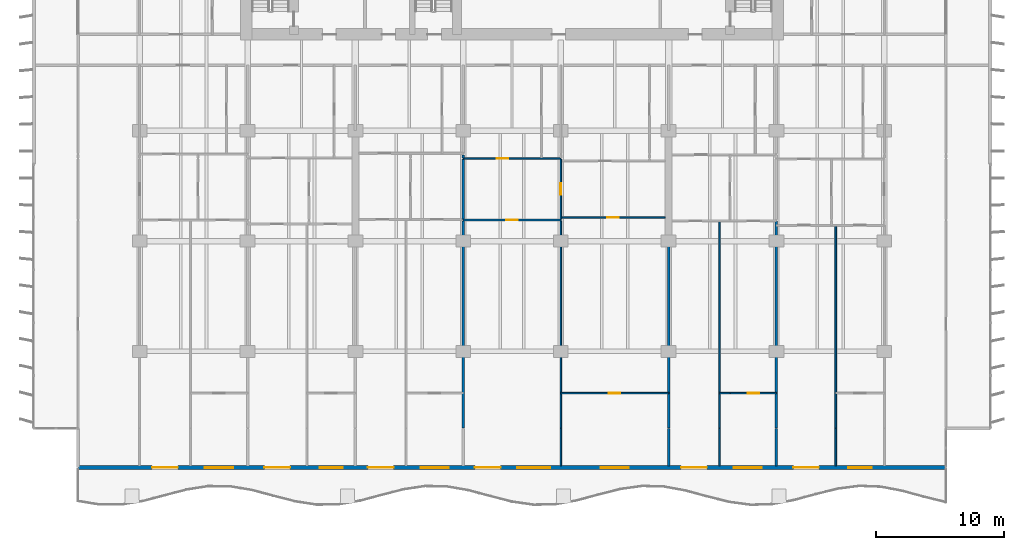
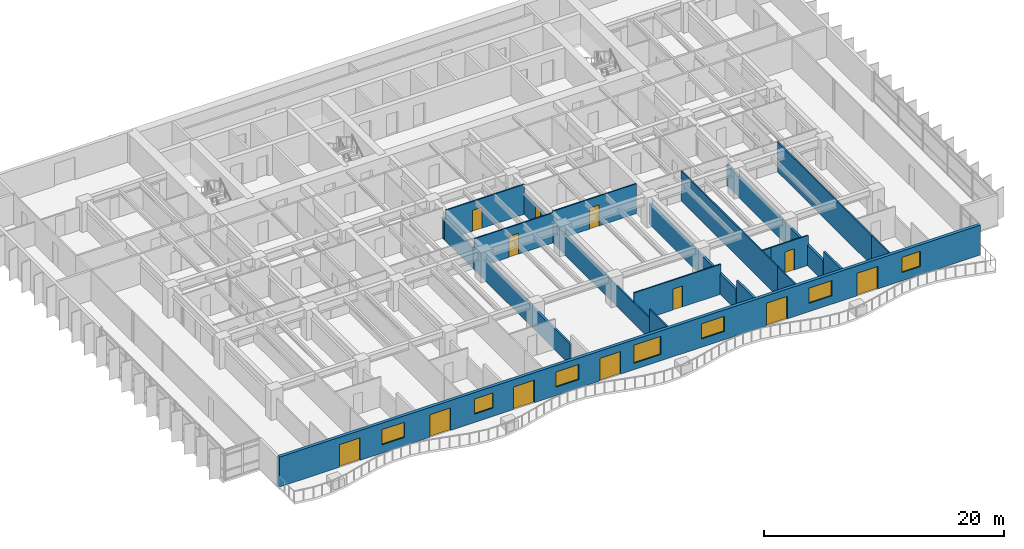
# One storey, part 8 of 17: 21 walls, 12 doors, 7 windows, 19 openings.
"""IFC4 building model written with IfcOpenShell, lengths in metres."""

from ifc_helpers import new_model, si_unit, direction, frame, frame_2d, origin, place, context, subcontext, project, spatial, rectangle, extrude, material, layer, layer_set, type_object, element, fill, save


model = new_model("IFC4")

# Units and contexts
model_context = context("Model", 3, precision=1e-05, world=origin(), true_north=direction((0.0, 1.0)))
body_context = subcontext(model_context, "Body", "Model", "MODEL_VIEW")
ifc_project = project(units=[si_unit("LENGTHUNIT", "METRE"), si_unit("AREAUNIT", "SQUARE_METRE"), si_unit("VOLUMEUNIT", "CUBIC_METRE"), si_unit("PLANEANGLEUNIT", "RADIAN"), si_unit("MASSUNIT", "GRAM", prefix="KILO")], contexts=[model_context])

# Site, building, storey
site_placement = place(None, origin())
site = spatial("IfcSite", under=ifc_project, at=site_placement, CompositionType="ELEMENT")
building_placement = place(site_placement, origin())
building = spatial("IfcBuilding", under=site, at=building_placement, Name="Caelmar Bay Residences", CompositionType="ELEMENT")
storey_placement = place(building_placement, frame((0.0, 0.0, 33.300048828125)))
storey = spatial("IfcBuildingStorey", under=building, at=storey_placement, Name="L07", CompositionType="ELEMENT", Elevation=33.300048828125)

# Wall, openings, doors, windows
ifc_material_1 = material(Name="Precast concrete f'c 40 MPa (6,000 psi)", Category="concrete")
ifc_layer_1 = layer(ifc_material_1, 0.300048828125)
ifc_layer_set_1 = layer_set([ifc_layer_1], Name="Precast concrete f'c 40 MPa (6,000 psi)")
wall_type_1 = type_object("IfcWallType", Name="W-EXT-300", PredefinedType="STANDARD", material=ifc_layer_set_1)
wall_1_placement = place(storey_placement, frame((72.699951171875, 3.14990234375, 0.0), z_axis=(0.0, 0.0, 1.0), x_axis=(-1.0, 0.0, 0.0)))
wall_1 = element("IfcWall", 1, at=wall_1_placement, inside=storey, type_object=wall_type_1, Name="L07 South Bayfront Exterior Wall", PredefinedType="STANDARD", context=body_context, shape_type="SweptSolid", body=[
    extrude(rectangle(XDim=67.599853515625, YDim=0.300048828125, at=frame_2d((33.7998046875, 0.0))), origin(), (0.0, 0.0, 1.0), 3.050048828125),
])
opening_1_placement = place(wall_1_placement, frame((59.825927734375, 0.0, 0.0)))
opening_1 = element("IfcOpeningElement", 2, at=opening_1_placement, cuts=wall_1, Name="Opening L07-BD01", PredefinedType="OPENING", context=body_context, shape_type="SweptSolid", body=[
    extrude(rectangle(XDim=2.0, YDim=2.300048828125, at=frame_2d((1.0, 1.14990234375))), frame((0.0, 0.159912109375, 0.0), z_axis=(0.0, -1.0, 0.0), x_axis=(1.0, 0.0, 0.0)), (0.0, 0.0, 1.0), 0.320068359375),
])
opening_2_placement = place(wall_1_placement, frame((55.52587890625, 0.0, 0.85009765625)))
opening_2 = element("IfcOpeningElement", 3, at=opening_2_placement, cuts=wall_1, Name="Opening WN2", PredefinedType="OPENING", context=body_context, shape_type="SweptSolid", body=[
    extrude(rectangle(XDim=2.199951171875, YDim=1.550048828125, at=frame_2d((1.10009765625, 0.77490234375))), frame((0.0, 0.159912109375, 0.0), z_axis=(0.0, -1.0, 0.0), x_axis=(1.0, 0.0, 0.0)), (0.0, 0.0, 1.0), 0.320068359375),
])
opening_3_placement = place(wall_1_placement, frame((51.090087890625, 0.0, 0.0)))
opening_3 = element("IfcOpeningElement", 4, at=opening_3_placement, cuts=wall_1, Name="Opening L07-BD02", PredefinedType="OPENING", context=body_context, shape_type="SweptSolid", body=[
    extrude(rectangle(XDim=2.0, YDim=2.300048828125, at=frame_2d((1.0, 1.14990234375))), frame((0.0, 0.159912109375, 0.0), z_axis=(0.0, -1.0, 0.0), x_axis=(1.0, 0.0, 0.0)), (0.0, 0.0, 1.0), 0.320068359375),
])
opening_4_placement = place(wall_1_placement, frame((46.989990234375, 0.0, 0.85009765625)))
opening_4 = element("IfcOpeningElement", 5, at=opening_4_placement, cuts=wall_1, Name="Opening WN1", PredefinedType="OPENING", context=body_context, shape_type="SweptSolid", body=[
    extrude(rectangle(XDim=1.800048828125, YDim=1.550048828125, at=frame_2d((0.89990234375, 0.77490234375))), frame((0.0, 0.159912109375, 0.0), z_axis=(0.0, -1.0, 0.0), x_axis=(1.0, 0.0, 0.0)), (0.0, 0.0, 1.0), 0.320068359375),
])
opening_5_placement = place(wall_1_placement, frame((43.02587890625, 0.0, 0.0)))
opening_5 = element("IfcOpeningElement", 6, at=opening_5_placement, cuts=wall_1, Name="Opening L07-BD03", PredefinedType="OPENING", context=body_context, shape_type="SweptSolid", body=[
    extrude(rectangle(XDim=2.0, YDim=2.300048828125, at=frame_2d((1.0, 1.14990234375))), frame((0.0, 0.159912109375, 0.0), z_axis=(0.0, -1.0, 0.0), x_axis=(1.0, 0.0, 0.0)), (0.0, 0.0, 1.0), 0.320068359375),
])
opening_6_placement = place(wall_1_placement, frame((38.72607421875, 0.0, 0.85009765625)))
opening_6 = element("IfcOpeningElement", 7, at=opening_6_placement, cuts=wall_1, Name="Opening WN2", PredefinedType="OPENING", context=body_context, shape_type="SweptSolid", body=[
    extrude(rectangle(XDim=2.199951171875, YDim=1.550048828125, at=frame_2d((1.10009765625, 0.77490234375))), frame((0.0, 0.159912109375, 0.0), z_axis=(0.0, -1.0, 0.0), x_axis=(1.0, 0.0, 0.0)), (0.0, 0.0, 1.0), 0.320068359375),
])
opening_7_placement = place(wall_1_placement, frame((34.68994140625, 0.0, 0.0)))
opening_7 = element("IfcOpeningElement", 8, at=opening_7_placement, cuts=wall_1, Name="Opening L07-BD04", PredefinedType="OPENING", context=body_context, shape_type="SweptSolid", body=[
    extrude(rectangle(XDim=2.0, YDim=2.300048828125, at=frame_2d((1.0, 1.14990234375))), frame((0.0, 0.159912109375, 0.0), z_axis=(0.0, -1.0, 0.0), x_axis=(1.0, 0.0, 0.0)), (0.0, 0.0, 1.0), 0.320068359375),
])
opening_8_placement = place(wall_1_placement, frame((30.81005859375, 0.0, 0.64990234375)))
opening_8 = element("IfcOpeningElement", 9, at=opening_8_placement, cuts=wall_1, Name="Opening WN3", PredefinedType="OPENING", context=body_context, shape_type="SweptSolid", body=[
    extrude(rectangle(XDim=2.60009765625, YDim=1.85009765625, at=frame_2d((1.300048828125, 0.925048828125))), frame((0.0, 0.159912109375, 0.0), z_axis=(0.0, -1.0, 0.0), x_axis=(1.0, 0.0, 0.0)), (0.0, 0.0, 1.0), 0.320068359375),
])
opening_9_placement = place(wall_1_placement, frame((24.699951171875, 0.0, 0.85009765625)))
opening_9 = element("IfcOpeningElement", 10, at=opening_9_placement, cuts=wall_1, Name="Opening WN2", PredefinedType="OPENING", context=body_context, shape_type="SweptSolid", body=[
    extrude(rectangle(XDim=2.199951171875, YDim=1.550048828125, at=frame_2d((1.10009765625, 0.77490234375))), frame((0.0, 0.159912109375, 0.0), z_axis=(0.0, -1.0, 0.0), x_axis=(1.0, 0.0, 0.0)), (0.0, 0.0, 1.0), 0.320068359375),
])
opening_10_placement = place(wall_1_placement, frame((18.6259765625, 0.0, 0.0)))
opening_10 = element("IfcOpeningElement", 11, at=opening_10_placement, cuts=wall_1, Name="Opening L07-BD05", PredefinedType="OPENING", context=body_context, shape_type="SweptSolid", body=[
    extrude(rectangle(XDim=2.0, YDim=2.300048828125, at=frame_2d((1.0, 1.14990234375))), frame((0.0, 0.159912109375, 0.0), z_axis=(0.0, -1.0, 0.0), x_axis=(1.0, 0.0, 0.0)), (0.0, 0.0, 1.0), 0.320068359375),
])
opening_11_placement = place(wall_1_placement, frame((14.325927734375, 0.0, 0.85009765625)))
opening_11 = element("IfcOpeningElement", 12, at=opening_11_placement, cuts=wall_1, Name="Opening WN2", PredefinedType="OPENING", context=body_context, shape_type="SweptSolid", body=[
    extrude(rectangle(XDim=2.199951171875, YDim=1.550048828125, at=frame_2d((1.10009765625, 0.77490234375))), frame((0.0, 0.159912109375, 0.0), z_axis=(0.0, -1.0, 0.0), x_axis=(1.0, 0.0, 0.0)), (0.0, 0.0, 1.0), 0.320068359375),
])
opening_12_placement = place(wall_1_placement, frame((9.889892578125, 0.0, 0.0)))
opening_12 = element("IfcOpeningElement", 13, at=opening_12_placement, cuts=wall_1, Name="Opening L07-BD06", PredefinedType="OPENING", context=body_context, shape_type="SweptSolid", body=[
    extrude(rectangle(XDim=2.0, YDim=2.300048828125, at=frame_2d((1.0, 1.14990234375))), frame((0.0, 0.159912109375, 0.0), z_axis=(0.0, -1.0, 0.0), x_axis=(1.0, 0.0, 0.0)), (0.0, 0.0, 1.0), 0.320068359375),
])
opening_13_placement = place(wall_1_placement, frame((5.7900390625, 0.0, 0.85009765625)))
opening_13 = element("IfcOpeningElement", 14, at=opening_13_placement, cuts=wall_1, Name="Opening WN1", PredefinedType="OPENING", context=body_context, shape_type="SweptSolid", body=[
    extrude(rectangle(XDim=1.800048828125, YDim=1.550048828125, at=frame_2d((0.89990234375, 0.77490234375))), frame((0.0, 0.159912109375, 0.0), z_axis=(0.0, -1.0, 0.0), x_axis=(1.0, 0.0, 0.0)), (0.0, 0.0, 1.0), 0.320068359375),
])
ifc_material_2 = material(Name="Anodised bronze thermally broken sliding glass door", Category="glass")
ifc_layer_2 = layer(ifc_material_2, 0.050048828125)
ifc_layer_set_2 = layer_set([ifc_layer_2], Name="Anodised bronze thermally broken sliding glass door")
door_type_1 = type_object("IfcDoorType", Name="D-BAL-2000", OperationType="DOUBLE_DOOR_SLIDING", PredefinedType="DOOR", material=ifc_layer_set_2)
door_1_placement = place(opening_1_placement, origin())
door_1 = element("IfcDoor", 15, at=door_1_placement, inside=storey, type_object=door_type_1, Name="L07 Residence 01 Penthouse Living Salon Balcony Door", OperationType="DOUBLE_DOOR_SLIDING", OverallHeight=2.300048828125, OverallWidth=2.0, PredefinedType="DOOR", context=body_context, shape_type="SweptSolid", body=[
    extrude(rectangle(XDim=2.0, YDim=2.300048828125, at=frame_2d((1.0, 1.14990234375))), frame((0.0, 0.02490234375, 0.0), z_axis=(0.0, -1.0, 0.0), x_axis=(1.0, 0.0, 0.0)), (0.0, 0.0, 1.0), 0.050048828125),
])
fill(opening_1, door_1)
door_2_placement = place(opening_3_placement, origin())
door_2 = element("IfcDoor", 16, at=door_2_placement, inside=storey, type_object=door_type_1, Name="L07 Residence 02 Penthouse Living Salon Balcony Door", OperationType="DOUBLE_DOOR_SLIDING", OverallHeight=2.300048828125, OverallWidth=2.0, PredefinedType="DOOR", context=body_context, shape_type="SweptSolid", body=[
    extrude(rectangle(XDim=2.0, YDim=2.300048828125, at=frame_2d((1.0, 1.14990234375))), frame((0.0, 0.02490234375, 0.0), z_axis=(0.0, -1.0, 0.0), x_axis=(1.0, 0.0, 0.0)), (0.0, 0.0, 1.0), 0.050048828125),
])
fill(opening_3, door_2)
door_3_placement = place(opening_5_placement, origin())
door_3 = element("IfcDoor", 17, at=door_3_placement, inside=storey, type_object=door_type_1, Name="L07 Residence 03 Penthouse Living Salon Balcony Door", OperationType="DOUBLE_DOOR_SLIDING", OverallHeight=2.300048828125, OverallWidth=2.0, PredefinedType="DOOR", context=body_context, shape_type="SweptSolid", body=[
    extrude(rectangle(XDim=2.0, YDim=2.300048828125, at=frame_2d((1.0, 1.14990234375))), frame((0.0, 0.02490234375, 0.0), z_axis=(0.0, -1.0, 0.0), x_axis=(1.0, 0.0, 0.0)), (0.0, 0.0, 1.0), 0.050048828125),
])
fill(opening_5, door_3)
door_4_placement = place(opening_7_placement, origin())
door_4 = element("IfcDoor", 18, at=door_4_placement, inside=storey, type_object=door_type_1, Name="L07 Residence 04 Penthouse Living Salon Balcony Door", OperationType="DOUBLE_DOOR_SLIDING", OverallHeight=2.300048828125, OverallWidth=2.0, PredefinedType="DOOR", context=body_context, shape_type="SweptSolid", body=[
    extrude(rectangle(XDim=2.0, YDim=2.300048828125, at=frame_2d((1.0, 1.14990234375))), frame((0.0, 0.02490234375, 0.0), z_axis=(0.0, -1.0, 0.0), x_axis=(1.0, 0.0, 0.0)), (0.0, 0.0, 1.0), 0.050048828125),
])
fill(opening_7, door_4)
door_5_placement = place(opening_10_placement, origin())
door_5 = element("IfcDoor", 19, at=door_5_placement, inside=storey, type_object=door_type_1, Name="L07 Residence 05 Living Room Balcony Door", OperationType="DOUBLE_DOOR_SLIDING", OverallHeight=2.300048828125, OverallWidth=2.0, PredefinedType="DOOR", context=body_context, shape_type="SweptSolid", body=[
    extrude(rectangle(XDim=2.0, YDim=2.300048828125, at=frame_2d((1.0, 1.14990234375))), frame((0.0, 0.02490234375, 0.0), z_axis=(0.0, -1.0, 0.0), x_axis=(1.0, 0.0, 0.0)), (0.0, 0.0, 1.0), 0.050048828125),
])
fill(opening_10, door_5)
door_6_placement = place(opening_12_placement, origin())
door_6 = element("IfcDoor", 20, at=door_6_placement, inside=storey, type_object=door_type_1, Name="L07 Residence 06 Penthouse Living Salon Balcony Door", OperationType="DOUBLE_DOOR_SLIDING", OverallHeight=2.300048828125, OverallWidth=2.0, PredefinedType="DOOR", context=body_context, shape_type="SweptSolid", body=[
    extrude(rectangle(XDim=2.0, YDim=2.300048828125, at=frame_2d((1.0, 1.14990234375))), frame((0.0, 0.02490234375, 0.0), z_axis=(0.0, -1.0, 0.0), x_axis=(1.0, 0.0, 0.0)), (0.0, 0.0, 1.0), 0.050048828125),
])
fill(opening_12, door_6)
ifc_material_3 = material(Name="Bronze aluminium frame with laminated low-E glass", Category="aluminium")
ifc_layer_3 = layer(ifc_material_3, 0.06005859375)
ifc_layer_set_3 = layer_set([ifc_layer_3], Name="Bronze aluminium frame with laminated low-E glass")
window_type_1 = type_object("IfcWindowType", Name="WIN-BR-1800", PartitioningType="SINGLE_PANEL", PredefinedType="WINDOW", material=ifc_layer_set_3)
window_1_placement = place(opening_4_placement, origin())
window_1 = element("IfcWindow", 21, at=window_1_placement, inside=storey, type_object=window_type_1, Name="L07 Residence 02 Primary Bedroom Window", OverallHeight=1.550048828125, OverallWidth=1.800048828125, PartitioningType="SINGLE_PANEL", PredefinedType="WINDOW", context=body_context, shape_type="SweptSolid", body=[
    extrude(rectangle(XDim=1.800048828125, YDim=1.550048828125, at=frame_2d((0.89990234375, 0.77490234375))), frame((0.0, 0.030029296875, 0.0), z_axis=(0.0, -1.0, 0.0), x_axis=(1.0, 0.0, 0.0)), (0.0, 0.0, 1.0), 0.06005859375),
])
fill(opening_4, window_1)
window_2_placement = place(opening_13_placement, origin())
window_2 = element("IfcWindow", 22, at=window_2_placement, inside=storey, type_object=window_type_1, Name="L07 Residence 06 Primary Bedroom Window", OverallHeight=1.550048828125, OverallWidth=1.800048828125, PartitioningType="SINGLE_PANEL", PredefinedType="WINDOW", context=body_context, shape_type="SweptSolid", body=[
    extrude(rectangle(XDim=1.800048828125, YDim=1.550048828125, at=frame_2d((0.89990234375, 0.77490234375))), frame((0.0, 0.030029296875, 0.0), z_axis=(0.0, -1.0, 0.0), x_axis=(1.0, 0.0, 0.0)), (0.0, 0.0, 1.0), 0.06005859375),
])
fill(opening_13, window_2)
ifc_layer_4 = layer(ifc_material_3, 0.06005859375)
ifc_layer_set_4 = layer_set([ifc_layer_4], Name="Bronze aluminium frame with laminated low-E glass")
window_type_2 = type_object("IfcWindowType", Name="WIN-BR-2200", PartitioningType="SINGLE_PANEL", PredefinedType="WINDOW", material=ifc_layer_set_4)
window_3_placement = place(opening_2_placement, origin())
window_3 = element("IfcWindow", 23, at=window_3_placement, inside=storey, type_object=window_type_2, Name="L07 Residence 01 Primary Bedroom Window", OverallHeight=1.550048828125, OverallWidth=2.199951171875, PartitioningType="SINGLE_PANEL", PredefinedType="WINDOW", context=body_context, shape_type="SweptSolid", body=[
    extrude(rectangle(XDim=2.199951171875, YDim=1.550048828125, at=frame_2d((1.10009765625, 0.77490234375))), frame((0.0, 0.030029296875, 0.0), z_axis=(0.0, -1.0, 0.0), x_axis=(1.0, 0.0, 0.0)), (0.0, 0.0, 1.0), 0.06005859375),
])
fill(opening_2, window_3)
window_4_placement = place(opening_6_placement, origin())
window_4 = element("IfcWindow", 24, at=window_4_placement, inside=storey, type_object=window_type_2, Name="L07 Residence 03 Primary Bedroom Window", OverallHeight=1.550048828125, OverallWidth=2.199951171875, PartitioningType="SINGLE_PANEL", PredefinedType="WINDOW", context=body_context, shape_type="SweptSolid", body=[
    extrude(rectangle(XDim=2.199951171875, YDim=1.550048828125, at=frame_2d((1.10009765625, 0.77490234375))), frame((0.0, 0.030029296875, 0.0), z_axis=(0.0, -1.0, 0.0), x_axis=(1.0, 0.0, 0.0)), (0.0, 0.0, 1.0), 0.06005859375),
])
fill(opening_6, window_4)
window_5_placement = place(opening_9_placement, origin())
window_5 = element("IfcWindow", 25, at=window_5_placement, inside=storey, type_object=window_type_2, Name="L07 Residence 04 Primary Bedroom 1 Window", OverallHeight=1.550048828125, OverallWidth=2.199951171875, PartitioningType="SINGLE_PANEL", PredefinedType="WINDOW", context=body_context, shape_type="SweptSolid", body=[
    extrude(rectangle(XDim=2.199951171875, YDim=1.550048828125, at=frame_2d((1.10009765625, 0.77490234375))), frame((0.0, 0.030029296875, 0.0), z_axis=(0.0, -1.0, 0.0), x_axis=(1.0, 0.0, 0.0)), (0.0, 0.0, 1.0), 0.06005859375),
])
fill(opening_9, window_5)
window_6_placement = place(opening_11_placement, origin())
window_6 = element("IfcWindow", 26, at=window_6_placement, inside=storey, type_object=window_type_2, Name="L07 Residence 05 Primary Bedroom Window", OverallHeight=1.550048828125, OverallWidth=2.199951171875, PartitioningType="SINGLE_PANEL", PredefinedType="WINDOW", context=body_context, shape_type="SweptSolid", body=[
    extrude(rectangle(XDim=2.199951171875, YDim=1.550048828125, at=frame_2d((1.10009765625, 0.77490234375))), frame((0.0, 0.030029296875, 0.0), z_axis=(0.0, -1.0, 0.0), x_axis=(1.0, 0.0, 0.0)), (0.0, 0.0, 1.0), 0.06005859375),
])
fill(opening_11, window_6)
ifc_layer_5 = layer(ifc_material_3, 0.06005859375)
ifc_layer_set_5 = layer_set([ifc_layer_5], Name="Bronze aluminium frame with laminated low-E glass")
window_type_3 = type_object("IfcWindowType", Name="WIN-LIV-2600", PartitioningType="SINGLE_PANEL", PredefinedType="WINDOW", material=ifc_layer_set_5)
window_7_placement = place(opening_8_placement, origin())
window_7 = element("IfcWindow", 27, at=window_7_placement, inside=storey, type_object=window_type_3, Name="L07 Residence 04 Penthouse Living Salon Panoramic Window", OverallHeight=1.85009765625, OverallWidth=2.60009765625, PartitioningType="SINGLE_PANEL", PredefinedType="WINDOW", context=body_context, shape_type="SweptSolid", body=[
    extrude(rectangle(XDim=2.60009765625, YDim=1.85009765625, at=frame_2d((1.300048828125, 0.925048828125))), frame((0.0, 0.030029296875, 0.0), z_axis=(0.0, -1.0, 0.0), x_axis=(1.0, 0.0, 0.0)), (0.0, 0.0, 1.0), 0.06005859375),
])
fill(opening_8, window_7)

# Walls
ifc_material_4 = material(Name="Acoustic metal-stud gypsum partition 120 mm")
ifc_layer_6 = layer(ifc_material_4, 0.1201171875)
ifc_layer_set_6 = layer_set([ifc_layer_6], Name="Acoustic metal-stud gypsum partition 120 mm")
wall_type_2 = type_object("IfcWallType", Name="W-PRT-120", PredefinedType="PARTITIONING", material=ifc_layer_set_6)
wall_2_placement = place(storey_placement, frame((42.699951171875, 3.294921875, 0.0), z_axis=(0.0, 0.0, 1.0), x_axis=(0.0, 1.0, 0.0)))
element("IfcWall", 28, at=wall_2_placement, inside=storey, type_object=wall_type_2, Name="L07 Partition Wall V052", PredefinedType="PARTITIONING", context=body_context, shape_type="SweptSolid", body=[
    extrude(rectangle(XDim=2.905029296875, YDim=0.1201171875, at=frame_2d((1.45263671875, 0.0))), origin(), (0.0, 0.0, 1.0), 3.050048828125),
])
wall_3_placement = place(storey_placement, frame((42.699951171875, 6.239990234375, 0.0), z_axis=(0.0, 0.0, 1.0), x_axis=(0.0, 1.0, 0.0)))
element("IfcWall", 29, at=wall_3_placement, inside=storey, type_object=wall_type_2, Name="L07 Partition Wall V053", PredefinedType="PARTITIONING", context=body_context, shape_type="SweptSolid", body=[
    extrude(rectangle(XDim=16.130126953125, YDim=0.1201171875, at=frame_2d((8.06494140625, 0.0))), origin(), (0.0, 0.0, 1.0), 2.10986328125),
])

# Wall, opening, door
wall_4_placement = place(storey_placement, frame((42.699951171875, 22.489990234375, 0.0), z_axis=(0.0, 0.0, 1.0), x_axis=(0.0, 1.0, 0.0)))
wall_4 = element("IfcWall", 30, at=wall_4_placement, inside=storey, type_object=wall_type_2, Name="L07 Partition Wall V054", PredefinedType="PARTITIONING", context=body_context, shape_type="SweptSolid", body=[
    extrude(rectangle(XDim=4.68994140625, YDim=0.1201171875, at=frame_2d((2.344970703125, 0.0))), origin(), (0.0, 0.0, 1.0), 2.10986328125),
])
opening_14_placement = place(wall_4_placement, frame((1.89990234375, 0.0, 0.0)))
opening_14 = element("IfcOpeningElement", 31, at=opening_14_placement, cuts=wall_4, Name="Opening D-L07-145", PredefinedType="OPENING", context=body_context, shape_type="SweptSolid", body=[
    extrude(rectangle(XDim=0.89990234375, YDim=2.06005859375, at=frame_2d((0.449951171875, 1.030029296875))), frame((0.0, 0.070068359375, 0.0), z_axis=(0.0, -1.0, 0.0), x_axis=(1.0, 0.0, 0.0)), (0.0, 0.0, 1.0), 0.14013671875),
])
ifc_material_5 = material(Name="Solid walnut timber interior door leaf and frame", Category="wood")
ifc_layer_7 = layer(ifc_material_5, 0.050048828125)
ifc_layer_set_7 = layer_set([ifc_layer_7], Name="Solid walnut timber interior door leaf and frame")
door_type_2 = type_object("IfcDoorType", Name="D-ROOM-900", OperationType="NOTDEFINED", PredefinedType="DOOR", material=ifc_layer_set_7)
door_7_placement = place(opening_14_placement, origin())
door_7 = element("IfcDoor", 32, at=door_7_placement, inside=storey, type_object=door_type_2, Name="L07 Residence 04 Family Room 1 Door", OperationType="SINGLE_SWING_RIGHT", OverallHeight=2.06005859375, OverallWidth=0.89990234375, PredefinedType="DOOR", context=body_context, shape_type="SweptSolid", body=[
    extrude(rectangle(XDim=0.89990234375, YDim=2.06005859375, at=frame_2d((0.449951171875, 1.030029296875))), frame((0.0, 0.02490234375, 0.0), z_axis=(0.0, -1.0, 0.0), x_axis=(1.0, 0.0, 0.0)), (0.0, 0.0, 1.0), 0.050048828125),
])
fill(opening_14, door_7)

# Walls
wall_5_placement = place(storey_placement, frame((55.048095703125, 3.294921875, 0.0), z_axis=(0.0, 0.0, 1.0), x_axis=(0.0, 1.0, 0.0)))
element("IfcWall", 33, at=wall_5_placement, inside=storey, type_object=wall_type_2, Name="L07 Partition Wall V069", PredefinedType="PARTITIONING", context=body_context, shape_type="SweptSolid", body=[
    extrude(rectangle(XDim=2.905029296875, YDim=0.1201171875, at=frame_2d((1.45263671875, 0.0))), origin(), (0.0, 0.0, 1.0), 3.050048828125),
])
wall_6_placement = place(storey_placement, frame((55.048095703125, 6.239990234375, 0.0), z_axis=(0.0, 0.0, 1.0), x_axis=(0.0, 1.0, 0.0)))
element("IfcWall", 34, at=wall_6_placement, inside=storey, type_object=wall_type_2, Name="L07 Partition Wall V070", PredefinedType="PARTITIONING", context=body_context, shape_type="SweptSolid", body=[
    extrude(rectangle(XDim=16.130126953125, YDim=0.1201171875, at=frame_2d((8.06494140625, 0.0))), origin(), (0.0, 0.0, 1.0), 3.050048828125),
])
wall_7_placement = place(storey_placement, frame((64.1201171875, 3.294921875, 0.0), z_axis=(0.0, 0.0, 1.0), x_axis=(0.0, 1.0, 0.0)))
element("IfcWall", 35, at=wall_7_placement, inside=storey, type_object=wall_type_2, Name="L07 Partition Wall V083", PredefinedType="PARTITIONING", context=body_context, shape_type="SweptSolid", body=[
    extrude(rectangle(XDim=2.905029296875, YDim=0.1201171875, at=frame_2d((1.45263671875, 0.0))), origin(), (0.0, 0.0, 1.0), 3.050048828125),
])
wall_8_placement = place(storey_placement, frame((64.1201171875, 6.239990234375, 0.0), z_axis=(0.0, 0.0, 1.0), x_axis=(0.0, 1.0, 0.0)))
element("IfcWall", 36, at=wall_8_placement, inside=storey, type_object=wall_type_2, Name="L07 Partition Wall V084", PredefinedType="PARTITIONING", context=body_context, shape_type="SweptSolid", body=[
    extrude(rectangle(XDim=15.7900390625, YDim=0.1201171875, at=frame_2d((7.89501953125, 0.0))), origin(), (0.0, 0.0, 1.0), 3.050048828125),
])

# Wall, opening, door
wall_9_placement = place(storey_placement, frame((42.699951171875, 8.949951171875, 0.0), z_axis=(0.0, 0.0, 1.0), x_axis=(1.0, 0.0, 0.0)))
wall_9 = element("IfcWall", 37, at=wall_9_placement, inside=storey, type_object=wall_type_2, Name="L07 Partition Wall H103", PredefinedType="PARTITIONING", context=body_context, shape_type="SweptSolid", body=[
    extrude(rectangle(XDim=8.400146484375, YDim=0.1201171875, at=frame_2d((4.2001953125, 0.0))), origin(), (0.0, 0.0, 1.0), 3.050048828125),
])
opening_15_placement = place(wall_9_placement, frame((3.75, 0.0, 0.0)))
opening_15 = element("IfcOpeningElement", 38, at=opening_15_placement, cuts=wall_9, Name="Opening D-L07-149", PredefinedType="OPENING", context=body_context, shape_type="SweptSolid", body=[
    extrude(rectangle(XDim=0.89990234375, YDim=2.14990234375, at=frame_2d((0.449951171875, 1.074951171875))), frame((0.0, 0.070068359375, 0.0), z_axis=(0.0, -1.0, 0.0), x_axis=(1.0, 0.0, 0.0)), (0.0, 0.0, 1.0), 0.14013671875),
])
door_8_placement = place(opening_15_placement, origin())
door_8 = element("IfcDoor", 39, at=door_8_placement, inside=storey, type_object=door_type_2, Name="L07 Residence 04 Primary Bedroom 1 Door", OperationType="SINGLE_SWING_RIGHT", OverallHeight=2.14990234375, OverallWidth=0.89990234375, PredefinedType="DOOR", context=body_context, shape_type="SweptSolid", body=[
    extrude(rectangle(XDim=0.89990234375, YDim=2.14990234375, at=frame_2d((0.449951171875, 1.074951171875))), frame((0.0, 0.02490234375, 0.0), z_axis=(0.0, -1.0, 0.0), x_axis=(1.0, 0.0, 0.0)), (0.0, 0.0, 1.0), 0.050048828125),
])
fill(opening_15, door_8)

# Wall
wall_10_placement = place(storey_placement, frame((55.048095703125, 8.949951171875, 0.0), z_axis=(0.0, 0.0, 1.0), x_axis=(1.0, 0.0, 0.0)))
element("IfcWall", 40, at=wall_10_placement, inside=storey, type_object=wall_type_2, Name="L07 Partition Wall H104", PredefinedType="PARTITIONING", context=body_context, shape_type="SweptSolid", body=[
    extrude(rectangle(XDim=0.837890625, YDim=0.1201171875, at=frame_2d((0.4189453125, 0.0))), origin(), (0.0, 0.0, 1.0), 3.050048828125),
])

# Wall, opening, door
wall_11_placement = place(storey_placement, frame((55.89990234375, 8.949951171875, 0.0), z_axis=(0.0, 0.0, 1.0), x_axis=(1.0, 0.0, 0.0)))
wall_11 = element("IfcWall", 41, at=wall_11_placement, inside=storey, type_object=wall_type_2, Name="L07 Partition Wall H105", PredefinedType="PARTITIONING", context=body_context, shape_type="SweptSolid", body=[
    extrude(rectangle(XDim=3.60009765625, YDim=0.1201171875, at=frame_2d((1.800048828125, 0.0))), origin(), (0.0, 0.0, 1.0), 3.050048828125),
])
opening_16_placement = place(wall_11_placement, frame((1.35009765625, 0.0, 0.0)))
opening_16 = element("IfcOpeningElement", 42, at=opening_16_placement, cuts=wall_11, Name="Opening D-L07-156", PredefinedType="OPENING", context=body_context, shape_type="SweptSolid", body=[
    extrude(rectangle(XDim=0.89990234375, YDim=2.14990234375, at=frame_2d((0.449951171875, 1.074951171875))), frame((0.0, 0.070068359375, 0.0), z_axis=(0.0, -1.0, 0.0), x_axis=(1.0, 0.0, 0.0)), (0.0, 0.0, 1.0), 0.14013671875),
])
door_9_placement = place(opening_16_placement, origin())
door_9 = element("IfcDoor", 43, at=door_9_placement, inside=storey, type_object=door_type_2, Name="L07 Residence 05 Primary Bedroom Door", OperationType="SINGLE_SWING_LEFT", OverallHeight=2.14990234375, OverallWidth=0.89990234375, PredefinedType="DOOR", context=body_context, shape_type="SweptSolid", body=[
    extrude(rectangle(XDim=0.89990234375, YDim=2.14990234375, at=frame_2d((0.449951171875, 1.074951171875))), frame((0.0, 0.02490234375, 0.0), z_axis=(0.0, -1.0, 0.0), x_axis=(1.0, 0.0, 0.0)), (0.0, 0.0, 1.0), 0.050048828125),
])
fill(opening_16, door_9)

wall_12_placement = place(storey_placement, frame((35.10009765625, 22.43994140625, 0.0), z_axis=(0.0, 0.0, 1.0), x_axis=(1.0, 0.0, 0.0)))
wall_12 = element("IfcWall", 44, at=wall_12_placement, inside=storey, type_object=wall_type_2, Name="L07 Partition Wall H112", PredefinedType="PARTITIONING", context=body_context, shape_type="SweptSolid", body=[
    extrude(rectangle(XDim=7.599853515625, YDim=0.1201171875, at=frame_2d((3.7998046875, 0.0))), origin(), (0.0, 0.0, 1.0), 3.050048828125),
])
opening_17_placement = place(wall_12_placement, frame((3.35009765625, 0.0, 0.0)))
opening_17 = element("IfcOpeningElement", 45, at=opening_17_placement, cuts=wall_12, Name="Opening D-L07-144", PredefinedType="OPENING", context=body_context, shape_type="SweptSolid", body=[
    extrude(rectangle(XDim=0.89990234375, YDim=2.14990234375, at=frame_2d((0.449951171875, 1.074951171875))), frame((0.0, 0.070068359375, 0.0), z_axis=(0.0, -1.0, 0.0), x_axis=(1.0, 0.0, 0.0)), (0.0, 0.0, 1.0), 0.14013671875),
])
door_10_placement = place(opening_17_placement, origin())
door_10 = element("IfcDoor", 46, at=door_10_placement, inside=storey, type_object=door_type_2, Name="L07 Residence 04 Penthouse Living Salon Door", OperationType="SINGLE_SWING_LEFT", OverallHeight=2.14990234375, OverallWidth=0.89990234375, PredefinedType="DOOR", context=body_context, shape_type="SweptSolid", body=[
    extrude(rectangle(XDim=0.89990234375, YDim=2.14990234375, at=frame_2d((0.449951171875, 1.074951171875))), frame((0.0, 0.02490234375, 0.0), z_axis=(0.0, -1.0, 0.0), x_axis=(1.0, 0.0, 0.0)), (0.0, 0.0, 1.0), 0.050048828125),
])
fill(opening_17, door_10)

wall_13_placement = place(storey_placement, frame((42.705078125, 22.639892578125, 0.0), z_axis=(0.0, 0.0, 1.0), x_axis=(1.0, 0.0, 0.0)))
wall_13 = element("IfcWall", 47, at=wall_13_placement, inside=storey, type_object=wall_type_2, Name="L07 Partition Wall H114", PredefinedType="PARTITIONING", context=body_context, shape_type="SweptSolid", body=[
    extrude(rectangle(XDim=8.125, YDim=0.1201171875, at=frame_2d((4.0625, 0.0))), origin(), (0.0, 0.0, 1.0), 3.050048828125),
])
opening_18_placement = place(wall_13_placement, frame((3.612548828125, 0.0, 0.0)))
opening_18 = element("IfcOpeningElement", 48, at=opening_18_placement, cuts=wall_13, Name="Opening D-L07-148", PredefinedType="OPENING", context=body_context, shape_type="SweptSolid", body=[
    extrude(rectangle(XDim=0.89990234375, YDim=2.14990234375, at=frame_2d((0.449951171875, 1.074951171875))), frame((0.0, 0.070068359375, 0.0), z_axis=(0.0, -1.0, 0.0), x_axis=(1.0, 0.0, 0.0)), (0.0, 0.0, 1.0), 0.14013671875),
])
door_11_placement = place(opening_18_placement, origin())
door_11 = element("IfcDoor", 49, at=door_11_placement, inside=storey, type_object=door_type_2, Name="L07 Residence 04 Penthouse Sitting Salon 1 Door", OperationType="SINGLE_SWING_LEFT", OverallHeight=2.14990234375, OverallWidth=0.89990234375, PredefinedType="DOOR", context=body_context, shape_type="SweptSolid", body=[
    extrude(rectangle(XDim=0.89990234375, YDim=2.14990234375, at=frame_2d((0.449951171875, 1.074951171875))), frame((0.0, 0.02490234375, 0.0), z_axis=(0.0, -1.0, 0.0), x_axis=(1.0, 0.0, 0.0)), (0.0, 0.0, 1.0), 0.050048828125),
])
fill(opening_18, door_11)

wall_14_placement = place(storey_placement, frame((35.10009765625, 27.239990234375, 0.0), z_axis=(0.0, 0.0, 1.0), x_axis=(1.0, 0.0, 0.0)))
wall_14 = element("IfcWall", 50, at=wall_14_placement, inside=storey, type_object=wall_type_2, Name="L07 Partition Wall H117", PredefinedType="PARTITIONING", context=body_context, shape_type="SweptSolid", body=[
    extrude(rectangle(XDim=7.594970703125, YDim=0.1201171875, at=frame_2d((3.79736328125, 0.0))), origin(), (0.0, 0.0, 1.0), 3.050048828125),
])
opening_19_placement = place(wall_14_placement, frame((2.60009765625, 0.0, 0.0)))
opening_19 = element("IfcOpeningElement", 51, at=opening_19_placement, cuts=wall_14, Name="Opening D-L07-143", PredefinedType="OPENING", context=body_context, shape_type="SweptSolid", body=[
    extrude(rectangle(XDim=0.89990234375, YDim=2.14990234375, at=frame_2d((0.449951171875, 1.074951171875))), frame((0.0, 0.070068359375, 0.0), z_axis=(0.0, -1.0, 0.0), x_axis=(1.0, 0.0, 0.0)), (0.0, 0.0, 1.0), 0.14013671875),
])
door_12_placement = place(opening_19_placement, origin())
door_12 = element("IfcDoor", 52, at=door_12_placement, inside=storey, type_object=door_type_2, Name="L07 Residence 04 Kitchen Door", OperationType="SINGLE_SWING_RIGHT", OverallHeight=2.14990234375, OverallWidth=0.89990234375, PredefinedType="DOOR", context=body_context, shape_type="SweptSolid", body=[
    extrude(rectangle(XDim=0.89990234375, YDim=2.14990234375, at=frame_2d((0.449951171875, 1.074951171875))), frame((0.0, 0.02490234375, 0.0), z_axis=(0.0, -1.0, 0.0), x_axis=(1.0, 0.0, 0.0)), (0.0, 0.0, 1.0), 0.050048828125),
])
fill(opening_19, door_12)

# Walls
ifc_material_6 = material(Name="Acoustic twin-stud fire-rated inter-tenancy partition 200 mm")
ifc_layer_8 = layer(ifc_material_6, 0.199951171875)
ifc_layer_set_8 = layer_set([ifc_layer_8], Name="Acoustic twin-stud fire-rated inter-tenancy partition 200 mm")
wall_type_3 = type_object("IfcWallType", Name="W-PTY-200", PredefinedType="PARTITIONING", material=ifc_layer_set_8)
wall_15_placement = place(storey_placement, frame((35.10009765625, 6.239990234375, 0.0), z_axis=(0.0, 0.0, 1.0), x_axis=(0.0, 1.0, 0.0)))
element("IfcWall", 53, at=wall_15_placement, inside=storey, type_object=wall_type_3, Name="L07 Partition Wall V043", PredefinedType="PARTITIONING", context=body_context, shape_type="SweptSolid", body=[
    extrude(rectangle(XDim=16.130126953125, YDim=0.199951171875, at=frame_2d((8.06494140625, 0.0))), origin(), (0.0, 0.0, 1.0), 2.10986328125),
])
wall_16_placement = place(storey_placement, frame((35.10009765625, 22.489990234375, 0.0), z_axis=(0.0, 0.0, 1.0), x_axis=(0.0, 1.0, 0.0)))
element("IfcWall", 54, at=wall_16_placement, inside=storey, type_object=wall_type_3, Name="L07 Partition Wall V044", PredefinedType="PARTITIONING", context=body_context, shape_type="SweptSolid", body=[
    extrude(rectangle(XDim=4.68994140625, YDim=0.199951171875, at=frame_2d((2.344970703125, 0.0))), origin(), (0.0, 0.0, 1.0), 2.10986328125),
])
wall_17_placement = place(storey_placement, frame((35.10009765625, 27.280029296875, 0.0), z_axis=(0.0, 0.0, 1.0), x_axis=(0.0, 1.0, 0.0)))
element("IfcWall", 55, at=wall_17_placement, inside=storey, type_object=wall_type_3, Name="L07 Partition Wall V045", PredefinedType="PARTITIONING", context=body_context, shape_type="SweptSolid", body=[
    extrude(rectangle(XDim=0.239990234375, YDim=0.199951171875, at=frame_2d((0.1201171875, 0.0))), origin(), (0.0, 0.0, 1.0), 2.10986328125),
])
wall_18_placement = place(storey_placement, frame((51.10009765625, 3.294921875, 0.0), z_axis=(0.0, 0.0, 1.0), x_axis=(0.0, 1.0, 0.0)))
element("IfcWall", 56, at=wall_18_placement, inside=storey, type_object=wall_type_3, Name="L07 Partition Wall V065", PredefinedType="PARTITIONING", context=body_context, shape_type="SweptSolid", body=[
    extrude(rectangle(XDim=2.905029296875, YDim=0.199951171875, at=frame_2d((1.45263671875, 0.0))), origin(), (0.0, 0.0, 1.0), 3.050048828125),
])
wall_19_placement = place(storey_placement, frame((51.10009765625, 6.239990234375, 0.0), z_axis=(0.0, 0.0, 1.0), x_axis=(0.0, 1.0, 0.0)))
element("IfcWall", 57, at=wall_19_placement, inside=storey, type_object=wall_type_3, Name="L07 Partition Wall V066", PredefinedType="PARTITIONING", context=body_context, shape_type="SweptSolid", body=[
    extrude(rectangle(XDim=14.554931640625, YDim=0.199951171875, at=frame_2d((7.27734375, 0.0))), origin(), (0.0, 0.0, 1.0), 2.10986328125),
])
wall_20_placement = place(storey_placement, frame((59.5, 3.294921875, 0.0), z_axis=(0.0, 0.0, 1.0), x_axis=(0.0, 1.0, 0.0)))
element("IfcWall", 58, at=wall_20_placement, inside=storey, type_object=wall_type_3, Name="L07 Partition Wall V075", PredefinedType="PARTITIONING", context=body_context, shape_type="SweptSolid", body=[
    extrude(rectangle(XDim=2.905029296875, YDim=0.199951171875, at=frame_2d((1.45263671875, 0.0))), origin(), (0.0, 0.0, 1.0), 3.050048828125),
])
wall_21_placement = place(storey_placement, frame((59.5, 6.239990234375, 0.0), z_axis=(0.0, 0.0, 1.0), x_axis=(0.0, 1.0, 0.0)))
element("IfcWall", 59, at=wall_21_placement, inside=storey, type_object=wall_type_3, Name="L07 Partition Wall V076", PredefinedType="PARTITIONING", context=body_context, shape_type="SweptSolid", body=[
    extrude(rectangle(XDim=16.130126953125, YDim=0.199951171875, at=frame_2d((8.06494140625, 0.0))), origin(), (0.0, 0.0, 1.0), 2.10986328125),
])

save(model, "model.ifc")
